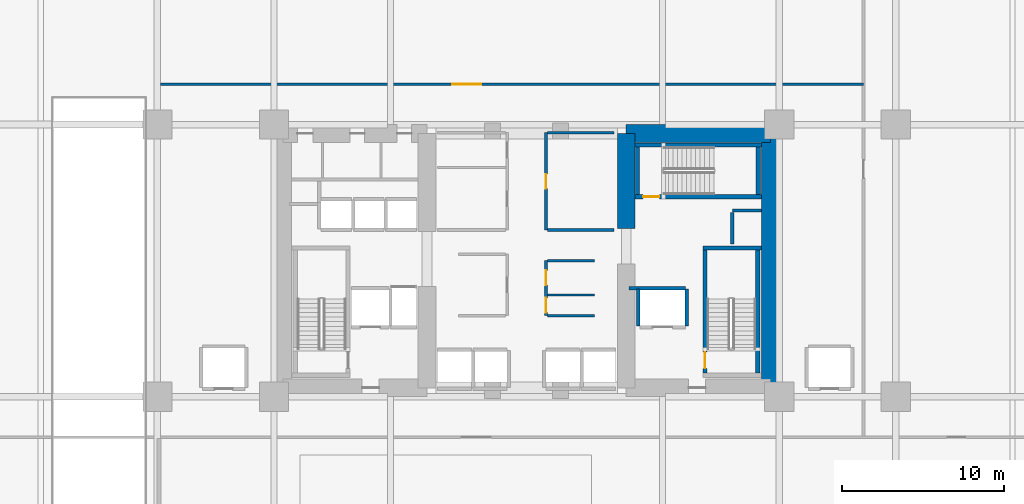
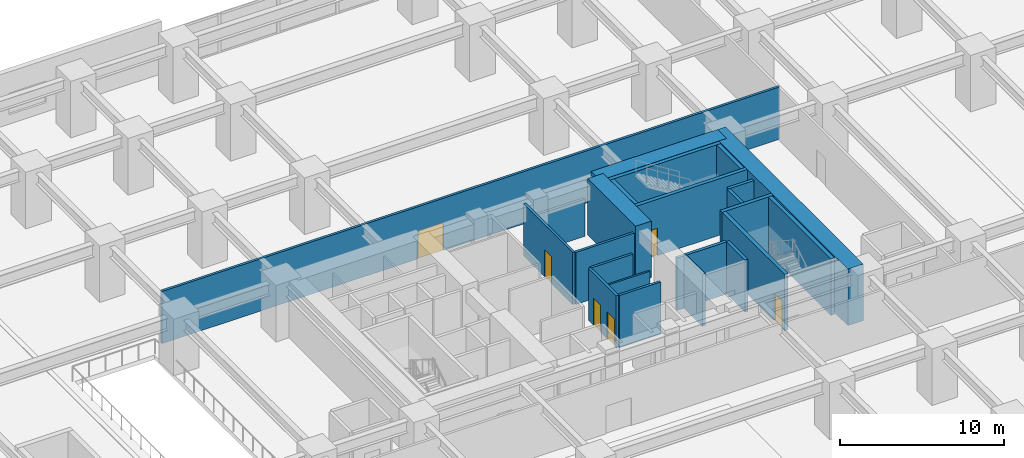
# One storey, part 12 of 22: 23 walls, 6 doors, 6 openings.
"""IFC4 building model written with IfcOpenShell, lengths in metres."""

from ifc_helpers import new_model, si_unit, direction, frame, frame_2d, origin, place, context, subcontext, project, spatial, rectangle, extrude, material, layer, layer_set, type_object, element, fill, save


model = new_model("IFC4")

# Units and contexts
model_context = context("Model", 3, precision=1e-05, world=origin(), true_north=direction((0.0, 1.0)))
body_context = subcontext(model_context, "Body", "Model", "MODEL_VIEW")
ifc_project = project(units=[si_unit("LENGTHUNIT", "METRE"), si_unit("AREAUNIT", "SQUARE_METRE"), si_unit("VOLUMEUNIT", "CUBIC_METRE"), si_unit("PLANEANGLEUNIT", "RADIAN"), si_unit("MASSUNIT", "GRAM", prefix="KILO")], contexts=[model_context])

# Site, building, storey
site_placement = place(None, origin())
site = spatial("IfcSite", under=ifc_project, at=site_placement, CompositionType="ELEMENT")
building_placement = place(site_placement, origin())
building = spatial("IfcBuilding", under=site, at=building_placement, Name="Kiyonajd Concourse Tower", CompositionType="ELEMENT")
storey_placement = place(building_placement, frame((0.0, 0.0, 8.699951171875)))
storey = spatial("IfcBuildingStorey", under=building, at=storey_placement, Name="L03", CompositionType="ELEMENT", Elevation=8.699951171875)

# Walls
ifc_material_1 = material(Name="Concrete C80/95", Category="concrete")
ifc_layer_1 = layer(ifc_material_1, 1.10009765625)
ifc_layer_set_1 = layer_set([ifc_layer_1], Name="Concrete C80/95")
wall_type_1 = type_object("IfcWallType", Name="WL-CORE-1100", PredefinedType="SHEAR", material=ifc_layer_set_1)
wall_1_placement = place(storey_placement, frame((54.14990234375, 38.0, 0.0), z_axis=(0.0, 0.0, 1.0), x_axis=(0.0, 1.0, 0.0)))
element("IfcWall", 1, at=wall_1_placement, inside=storey, type_object=wall_type_1, Name="L03 East Core Inner North Shear Wall", PredefinedType="SHEAR", context=body_context, shape_type="SweptSolid", body=[
    extrude(rectangle(XDim=5.85009765625, YDim=1.10009765625, at=frame_2d((2.925048828125, 0.0))), origin(), (0.0, 0.0, 1.0), 4.199951171875),
])
wall_2_placement = place(storey_placement, frame((63.050048828125, 27.60009765625, 0.0), z_axis=(0.0, 0.0, 1.0), x_axis=(0.0, 1.0, 0.0)))
element("IfcWall", 2, at=wall_2_placement, inside=storey, type_object=wall_type_1, Name="L03 East Core Outer Shear Wall", PredefinedType="SHEAR", context=body_context, shape_type="SweptSolid", body=[
    extrude(rectangle(XDim=16.7998046875, YDim=1.10009765625, at=frame_2d((8.39990234375, 0.0))), origin(), (0.0, 0.0, 1.0), 4.199951171875),
])
wall_3_placement = place(storey_placement, frame((54.14990234375, 43.85009765625, 0.0), z_axis=(0.0, 0.0, 1.0), x_axis=(1.0, 0.0, 0.0)))
element("IfcWall", 3, at=wall_3_placement, inside=storey, type_object=wall_type_1, Name="L03 East Core North Shear Wall", PredefinedType="SHEAR", context=body_context, shape_type="SweptSolid", body=[
    extrude(rectangle(XDim=8.900146484375, YDim=1.10009765625, at=frame_2d((4.4501953125, 0.0))), origin(), (0.0, 0.0, 1.0), 4.199951171875),
])
ifc_material_2 = material(Name="Gypsum Board on Cold-Formed Steel Stud", Category="steel")
ifc_layer_2 = layer(ifc_material_2, 0.125)
ifc_layer_set_2 = layer_set([ifc_layer_2], Name="Gypsum Board on Cold-Formed Steel Stud")
wall_type_2 = type_object("IfcWallType", Name="WL-PART-125", PredefinedType="PARTITIONING", material=ifc_layer_set_2)
wall_4_placement = place(storey_placement, frame((49.287109375, 33.89208984375, 0.0), z_axis=(0.0, 0.0, 1.0), x_axis=(1.0, 0.0, 0.0)))
element("IfcWall", 4, at=wall_4_placement, inside=storey, type_object=wall_type_2, Name="L03 Interior Partition Wall", PredefinedType="PARTITIONING", context=body_context, shape_type="SweptSolid", body=[
    extrude(rectangle(XDim=2.912841796875, YDim=0.125, at=frame_2d((1.45654296875, 0.0))), origin(), (0.0, 0.0, 1.0), 3.880126953125),
])
ifc_layer_3 = layer(ifc_material_2, 0.2099609375)
ifc_layer_set_3 = layer_set([ifc_layer_3], Name="Gypsum Board on Cold-Formed Steel Stud")
wall_type_3 = type_object("IfcWallType", Name="WL-SHAFT-210", PredefinedType="PARTITIONING", material=ifc_layer_set_3)
wall_5_placement = place(storey_placement, frame((60.719970703125, 39.10009765625, 0.0), z_axis=(0.0, 0.0, 1.0), x_axis=(1.0, 0.0, 0.0)))
element("IfcWall", 5, at=wall_5_placement, inside=storey, type_object=wall_type_3, Name="L03 Shaft Enclosure Wall", PredefinedType="PARTITIONING", context=body_context, shape_type="SweptSolid", body=[
    extrude(rectangle(XDim=1.800048828125, YDim=0.2099609375, at=frame_2d((0.89990234375, 0.0))), origin(), (0.0, 0.0, 1.0), 3.880126953125),
])
wall_6_placement = place(storey_placement, frame((60.699951171875, 37.02001953125, 0.0), z_axis=(0.0, 0.0, 1.0), x_axis=(0.0, 1.0, 0.0)))
element("IfcWall", 6, at=wall_6_placement, inside=storey, type_object=wall_type_3, Name="L03 Shaft Enclosure Wall", PredefinedType="PARTITIONING", context=body_context, shape_type="SweptSolid", body=[
    extrude(rectangle(XDim=1.9599609375, YDim=0.2099609375, at=frame_2d((0.97998046875, 0.0))), origin(), (0.0, 0.0, 1.0), 3.880126953125),
])
wall_7_placement = place(storey_placement, frame((54.320068359375, 34.300048828125, 0.0), z_axis=(0.0, 0.0, 1.0), x_axis=(1.0, 0.0, 0.0)))
element("IfcWall", 7, at=wall_7_placement, inside=storey, type_object=wall_type_3, Name="L03 Shaft Enclosure Wall", PredefinedType="PARTITIONING", context=body_context, shape_type="SweptSolid", body=[
    extrude(rectangle(XDim=3.47998046875, YDim=0.2099609375, at=frame_2d((1.739990234375, 0.0))), origin(), (0.0, 0.0, 1.0), 3.880126953125),
])
for number, where, z_axis, x_axis, name in (
    (8, (54.89990234375, 31.9599609375, 0.0), (0.0, 0.0, 1.0), (0.0, 1.0, 0.0), "L03 Shaft Enclosure Wall"),
    (9, (57.89990234375, 31.9599609375, 0.0), (0.0, 0.0, 1.0), (0.0, 1.0, 0.0), "L03 Shaft Enclosure Wall"),
):
    element("IfcWall", number, at=place(storey_placement, frame(where, z_axis=z_axis, x_axis=x_axis)), inside=storey, type_object=wall_type_3, Name=name, PredefinedType="PARTITIONING", context=body_context, shape_type="SweptSolid", body=[
        extrude(rectangle(XDim=2.280029296875, YDim=0.2099609375, at=frame_2d((1.14013671875, 0.0))), origin(), (0.0, 0.0, 1.0), 3.880126953125),
    ])

# Wall, openings, doors
ifc_layer_4 = layer(ifc_material_2, 0.169921875)
ifc_layer_set_4 = layer_set([ifc_layer_4], Name="Gypsum Board on Cold-Formed Steel Stud")
wall_type_4 = type_object("IfcWallType", Name="WL-SMK-170", PredefinedType="PARTITIONING", material=ifc_layer_set_4)
wall_8_placement = place(storey_placement, frame((49.199951171875, 32.60009765625, 0.0), z_axis=(0.0, 0.0, 1.0), x_axis=(0.0, 1.0, 0.0)))
wall_8 = element("IfcWall", 10, at=wall_8_placement, inside=storey, type_object=wall_type_4, Name="L03 Interior Partition Wall", PredefinedType="PARTITIONING", context=body_context, shape_type="SweptSolid", body=[
    extrude(rectangle(XDim=3.39990234375, YDim=0.169921875, at=frame_2d((1.699951171875, 0.0))), origin(), (0.0, 0.0, 1.0), 3.880126953125),
])
opening_1_placement = place(wall_8_placement, frame((0.196044921875, 0.0, 0.0)))
opening_1 = element("IfcOpeningElement", 11, at=opening_1_placement, cuts=wall_8, Name="Opening DI2", PredefinedType="OPENING", context=body_context, shape_type="SweptSolid", body=[
    extrude(rectangle(XDim=0.89990234375, YDim=2.02001953125, at=frame_2d((0.449951171875, 1.010009765625))), frame((0.0, 0.094970703125, 0.0), z_axis=(0.0, -1.0, 0.0), x_axis=(1.0, 0.0, 0.0)), (0.0, 0.0, 1.0), 0.18994140625),
])
opening_2_placement = place(wall_8_placement, frame((1.89599609375, 0.0, 0.0)))
opening_2 = element("IfcOpeningElement", 12, at=opening_2_placement, cuts=wall_8, Name="Opening DI2", PredefinedType="OPENING", context=body_context, shape_type="SweptSolid", body=[
    extrude(rectangle(XDim=0.89990234375, YDim=2.02001953125, at=frame_2d((0.449951171875, 1.010009765625))), frame((0.0, 0.094970703125, 0.0), z_axis=(0.0, -1.0, 0.0), x_axis=(1.0, 0.0, 0.0)), (0.0, 0.0, 1.0), 0.18994140625),
])
ifc_material_3 = material(Name="Natural Oak Acoustic Timber Veneer", Category="wood")
door_type_1 = type_object("IfcDoorType", Name="DR-INT-900", OperationType="NOTDEFINED", PredefinedType="DOOR", material=ifc_material_3)
door_1_placement = place(opening_1_placement, origin())
door_1 = element("IfcDoor", 13, at=door_1_placement, inside=storey, type_object=door_type_1, Name="L03 Interior Door", OperationType="SINGLE_SWING_RIGHT", OverallHeight=2.02001953125, OverallWidth=0.89990234375, PredefinedType="DOOR", context=body_context, shape_type="SweptSolid", body=[
    extrude(rectangle(XDim=0.89990234375, YDim=2.02001953125, at=frame_2d((0.449951171875, 1.010009765625))), frame((0.0, 0.02490234375, 0.0), z_axis=(0.0, -1.0, 0.0), x_axis=(1.0, 0.0, 0.0)), (0.0, 0.0, 1.0), 0.050048828125),
])
fill(opening_1, door_1)
door_2_placement = place(opening_2_placement, origin())
door_2 = element("IfcDoor", 14, at=door_2_placement, inside=storey, type_object=door_type_1, Name="L03 Interior Door", OperationType="SINGLE_SWING_LEFT", OverallHeight=2.02001953125, OverallWidth=0.89990234375, PredefinedType="DOOR", context=body_context, shape_type="SweptSolid", body=[
    extrude(rectangle(XDim=0.89990234375, YDim=2.02001953125, at=frame_2d((0.449951171875, 1.010009765625))), frame((0.0, 0.02490234375, 0.0), z_axis=(0.0, -1.0, 0.0), x_axis=(1.0, 0.0, 0.0)), (0.0, 0.0, 1.0), 0.050048828125),
])
fill(opening_2, door_2)

# Walls
for number, where, z_axis, x_axis, name in (
    (15, (49.287109375, 32.60009765625, 0.0), (0.0, 0.0, 1.0), (1.0, 0.0, 0.0), "L03 Interior Partition Wall"),
    (16, (49.287109375, 36.0, 0.0), (0.0, 0.0, 1.0), (1.0, 0.0, 0.0), "L03 Interior Partition Wall"),
):
    element("IfcWall", number, at=place(storey_placement, frame(where, z_axis=z_axis, x_axis=x_axis)), inside=storey, type_object=wall_type_4, Name=name, PredefinedType="PARTITIONING", context=body_context, shape_type="SweptSolid", body=[
        extrude(rectangle(XDim=2.912841796875, YDim=0.169921875, at=frame_2d((1.45654296875, 0.0))), origin(), (0.0, 0.0, 1.0), 3.880126953125),
    ])

# Wall, opening, door
wall_9_placement = place(storey_placement, frame((49.199951171875, 37.89990234375, 0.0), z_axis=(0.0, 0.0, 1.0), x_axis=(0.0, 1.0, 0.0)))
wall_9 = element("IfcWall", 17, at=wall_9_placement, inside=storey, type_object=wall_type_4, Name="L03 Interior Partition Wall", PredefinedType="PARTITIONING", context=body_context, shape_type="SweptSolid", body=[
    extrude(rectangle(XDim=6.0, YDim=0.169921875, at=frame_2d((3.0, 0.0))), origin(), (0.0, 0.0, 1.0), 3.880126953125),
])
opening_3_placement = place(wall_9_placement, frame((2.550048828125, 0.0, 0.0)))
opening_3 = element("IfcOpeningElement", 18, at=opening_3_placement, cuts=wall_9, Name="Opening DI2", PredefinedType="OPENING", context=body_context, shape_type="SweptSolid", body=[
    extrude(rectangle(XDim=0.89990234375, YDim=2.02001953125, at=frame_2d((0.449951171875, 1.010009765625))), frame((0.0, 0.094970703125, 0.0), z_axis=(0.0, -1.0, 0.0), x_axis=(1.0, 0.0, 0.0)), (0.0, 0.0, 1.0), 0.18994140625),
])
door_3_placement = place(opening_3_placement, origin())
door_3 = element("IfcDoor", 19, at=door_3_placement, inside=storey, type_object=door_type_1, Name="L03 Interior Door", OperationType="SINGLE_SWING_RIGHT", OverallHeight=2.02001953125, OverallWidth=0.89990234375, PredefinedType="DOOR", context=body_context, shape_type="SweptSolid", body=[
    extrude(rectangle(XDim=0.89990234375, YDim=2.02001953125, at=frame_2d((0.449951171875, 1.010009765625))), frame((0.0, 0.02490234375, 0.0), z_axis=(0.0, -1.0, 0.0), x_axis=(1.0, 0.0, 0.0)), (0.0, 0.0, 1.0), 0.050048828125),
])
fill(opening_3, door_3)

# Walls
wall_10_placement = place(storey_placement, frame((49.287109375, 37.89990234375, 0.0), z_axis=(0.0, 0.0, 1.0), x_axis=(1.0, 0.0, 0.0)))
element("IfcWall", 20, at=wall_10_placement, inside=storey, type_object=wall_type_4, Name="L03 Interior Partition Wall", PredefinedType="PARTITIONING", context=body_context, shape_type="SweptSolid", body=[
    extrude(rectangle(XDim=4.11279296875, YDim=0.169921875, at=frame_2d((2.056396484375, 0.0))), origin(), (0.0, 0.0, 1.0), 3.880126953125),
])
wall_11_placement = place(storey_placement, frame((49.287109375, 43.89990234375, 0.0), z_axis=(0.0, 0.0, 1.0), x_axis=(1.0, 0.0, 0.0)))
element("IfcWall", 21, at=wall_11_placement, inside=storey, type_object=wall_type_4, Name="L03 Interior Partition Wall", PredefinedType="PARTITIONING", context=body_context, shape_type="SweptSolid", body=[
    extrude(rectangle(XDim=4.11279296875, YDim=0.169921875, at=frame_2d((2.056396484375, 0.0))), origin(), (0.0, 0.0, 1.0), 2.76513671875),
])

# Wall, opening, door
wall_12_placement = place(storey_placement, frame((25.39990234375, 46.89990234375, 0.0), z_axis=(0.0, 0.0, 1.0), x_axis=(1.0, 0.0, 0.0)))
wall_12 = element("IfcWall", 22, at=wall_12_placement, inside=storey, type_object=wall_type_4, Name="L03 Interior Partition Wall", PredefinedType="PARTITIONING", context=body_context, shape_type="SweptSolid", body=[
    extrude(rectangle(XDim=43.400146484375, YDim=0.169921875, at=frame_2d((21.7001953125, 0.0))), origin(), (0.0, 0.0, 1.0), 3.880126953125),
])
opening_4_placement = place(wall_12_placement, frame((18.0, 0.0, 0.0)))
opening_4 = element("IfcOpeningElement", 23, at=opening_4_placement, cuts=wall_12, Name="Opening DI3", PredefinedType="OPENING", context=body_context, shape_type="SweptSolid", body=[
    extrude(rectangle(XDim=1.800048828125, YDim=2.06005859375, at=frame_2d((0.89990234375, 1.030029296875))), frame((0.0, 0.094970703125, 0.0), z_axis=(0.0, -1.0, 0.0), x_axis=(1.0, 0.0, 0.0)), (0.0, 0.0, 1.0), 0.18994140625),
])
ifc_material_4 = material(Name="Brushed Stainless Steel Cab Assembly", Category="steel")
door_type_2 = type_object("IfcDoorType", Name="DR-PAIR-1800", OperationType="DOUBLE_DOOR_SINGLE_SWING", PredefinedType="DOOR", material=ifc_material_4)
door_4_placement = place(opening_4_placement, origin())
door_4 = element("IfcDoor", 24, at=door_4_placement, inside=storey, type_object=door_type_2, Name="L03 Interior Door", OperationType="DOUBLE_DOOR_SINGLE_SWING", OverallHeight=2.06005859375, OverallWidth=1.800048828125, PredefinedType="DOOR", context=body_context, shape_type="SweptSolid", body=[
    extrude(rectangle(XDim=1.800048828125, YDim=2.06005859375, at=frame_2d((0.89990234375, 1.030029296875))), frame((0.0, 0.02490234375, 0.0), z_axis=(0.0, -1.0, 0.0), x_axis=(1.0, 0.0, 0.0)), (0.0, 0.0, 1.0), 0.050048828125),
])
fill(opening_4, door_4)

# Wall
ifc_material_5 = material(Name="Concrete C50/60", Category="concrete")
ifc_layer_5 = layer(ifc_material_5, 0.260009765625)
ifc_layer_set_5 = layer_set([ifc_layer_5], Name="Concrete C50/60")
wall_type_5 = type_object("IfcWallType", Name="WL-STAIR-260", PredefinedType="SHEAR", material=ifc_layer_set_5)
wall_13_placement = place(storey_placement, frame((58.889892578125, 36.780029296875, 0.0), z_axis=(0.0, 0.0, 1.0), x_axis=(1.0, 0.0, 0.0)))
element("IfcWall", 25, at=wall_13_placement, inside=storey, type_object=wall_type_5, Name="L03 Stair ST2 Structural North Wall", PredefinedType="SHEAR", context=body_context, shape_type="SweptSolid", body=[
    extrude(rectangle(XDim=3.610107421875, YDim=0.260009765625, at=frame_2d((1.80517578125, 0.0))), origin(), (0.0, 0.0, 1.0), 4.199951171875),
])

# Wall, opening, door
wall_14_placement = place(storey_placement, frame((59.02001953125, 29.050048828125, 0.0), z_axis=(0.0, 0.0, 1.0), x_axis=(0.0, 1.0, 0.0)))
wall_14 = element("IfcWall", 26, at=wall_14_placement, inside=storey, type_object=wall_type_5, Name="L03 Stair ST2 Structural West Wall", PredefinedType="SHEAR", context=body_context, shape_type="SweptSolid", body=[
    extrude(rectangle(XDim=7.599853515625, YDim=0.260009765625, at=frame_2d((3.7998046875, 0.0))), origin(), (0.0, 0.0, 1.0), 4.199951171875),
])
opening_5_placement = place(wall_14_placement, frame((0.300048828125, 0.0, 0.0)))
opening_5 = element("IfcOpeningElement", 27, at=opening_5_placement, cuts=wall_14, Name="Opening DF1", PredefinedType="OPENING", context=body_context, shape_type="SweptSolid", body=[
    extrude(rectangle(XDim=1.0, YDim=2.0400390625, at=frame_2d((0.5, 1.02001953125))), frame((0.0, 0.139892578125, 0.0), z_axis=(0.0, -1.0, 0.0), x_axis=(1.0, 0.0, 0.0)), (0.0, 0.0, 1.0), 0.280029296875),
])
door_type_3 = type_object("IfcDoorType", Name="DR-FD90-1000", OperationType="NOTDEFINED", PredefinedType="DOOR", material=ifc_material_4)
door_5_placement = place(opening_5_placement, origin())
door_5 = element("IfcDoor", 28, at=door_5_placement, inside=storey, type_object=door_type_3, Name="L03 Stair ST2 FSAE Door", OperationType="SINGLE_SWING_RIGHT", OverallHeight=2.0400390625, OverallWidth=1.0, PredefinedType="DOOR", context=body_context, shape_type="SweptSolid", body=[
    extrude(rectangle(XDim=1.0, YDim=2.0400390625, at=frame_2d((0.5, 1.02001953125))), frame((0.0, 0.02490234375, 0.0), z_axis=(0.0, -1.0, 0.0), x_axis=(1.0, 0.0, 0.0)), (0.0, 0.0, 1.0), 0.050048828125),
])
fill(opening_5, door_5)

# Wall
wall_15_placement = place(storey_placement, frame((62.280029296875, 29.050048828125, 0.0), z_axis=(0.0, 0.0, 1.0), x_axis=(0.0, 1.0, 0.0)))
element("IfcWall", 29, at=wall_15_placement, inside=storey, type_object=wall_type_5, Name="L03 Stair ST2 Structural East Wall", PredefinedType="SHEAR", context=body_context, shape_type="SweptSolid", body=[
    extrude(rectangle(XDim=7.599853515625, YDim=0.260009765625, at=frame_2d((3.7998046875, 0.0))), origin(), (0.0, 0.0, 1.0), 4.199951171875),
])

# Wall, opening, door
wall_16_placement = place(storey_placement, frame((54.699951171875, 39.949951171875, 0.0), z_axis=(0.0, 0.0, 1.0), x_axis=(1.0, 0.0, 0.0)))
wall_16 = element("IfcWall", 30, at=wall_16_placement, inside=storey, type_object=wall_type_5, Name="L03 Stair ST3 Structural South Wall", PredefinedType="SHEAR", context=body_context, shape_type="SweptSolid", body=[
    extrude(rectangle(XDim=7.800048828125, YDim=0.260009765625, at=frame_2d((3.89990234375, 0.0))), origin(), (0.0, 0.0, 1.0), 4.199951171875),
])
opening_6_placement = place(wall_16_placement, frame((0.5, 0.0, 0.0)))
opening_6 = element("IfcOpeningElement", 31, at=opening_6_placement, cuts=wall_16, Name="Opening DF1", PredefinedType="OPENING", context=body_context, shape_type="SweptSolid", body=[
    extrude(rectangle(XDim=1.0, YDim=2.0400390625, at=frame_2d((0.5, 1.02001953125))), frame((0.0, 0.139892578125, 0.0), z_axis=(0.0, -1.0, 0.0), x_axis=(1.0, 0.0, 0.0)), (0.0, 0.0, 1.0), 0.280029296875),
])
door_6_placement = place(opening_6_placement, origin())
door_6 = element("IfcDoor", 32, at=door_6_placement, inside=storey, type_object=door_type_3, Name="L03 Stair ST3 Enclosure Door", OperationType="SINGLE_SWING_LEFT", OverallHeight=2.0400390625, OverallWidth=1.0, PredefinedType="DOOR", context=body_context, shape_type="SweptSolid", body=[
    extrude(rectangle(XDim=1.0, YDim=2.0400390625, at=frame_2d((0.5, 1.02001953125))), frame((0.0, 0.02490234375, 0.0), z_axis=(0.0, -1.0, 0.0), x_axis=(1.0, 0.0, 0.0)), (0.0, 0.0, 1.0), 0.050048828125),
])
fill(opening_6, door_6)

# Walls
wall_17_placement = place(storey_placement, frame((54.699951171875, 43.14990234375, 0.0), z_axis=(0.0, 0.0, 1.0), x_axis=(1.0, 0.0, 0.0)))
element("IfcWall", 33, at=wall_17_placement, inside=storey, type_object=wall_type_5, Name="L03 Stair ST3 Structural North Wall", PredefinedType="SHEAR", context=body_context, shape_type="SweptSolid", body=[
    extrude(rectangle(XDim=7.800048828125, YDim=0.260009765625, at=frame_2d((3.89990234375, 0.0))), origin(), (0.0, 0.0, 1.0), 4.199951171875),
])
for number, where, z_axis, x_axis, name in (
    (34, (54.85009765625, 40.080078125, 0.0), (0.0, 0.0, 1.0), (0.0, 1.0, 0.0), "L03 Stair ST3 Structural West Wall"),
    (35, (62.31005859375, 40.080078125, 0.0), (0.0, 0.0, 1.0), (0.0, 1.0, 0.0), "L03 Stair ST3 Structural East Wall"),
):
    element("IfcWall", number, at=place(storey_placement, frame(where, z_axis=z_axis, x_axis=x_axis)), inside=storey, type_object=wall_type_5, Name=name, PredefinedType="SHEAR", context=body_context, shape_type="SweptSolid", body=[
        extrude(rectangle(XDim=2.93994140625, YDim=0.260009765625, at=frame_2d((1.469970703125, 0.0))), origin(), (0.0, 0.0, 1.0), 4.199951171875),
    ])

save(model, "model.ifc")
